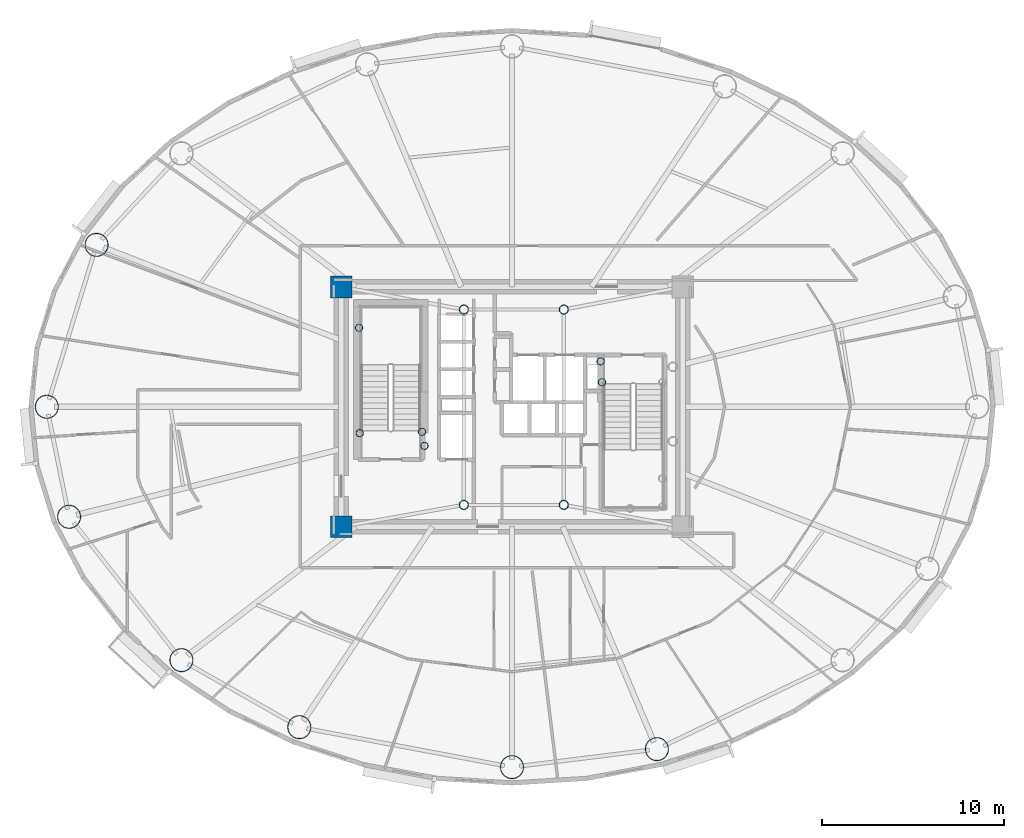
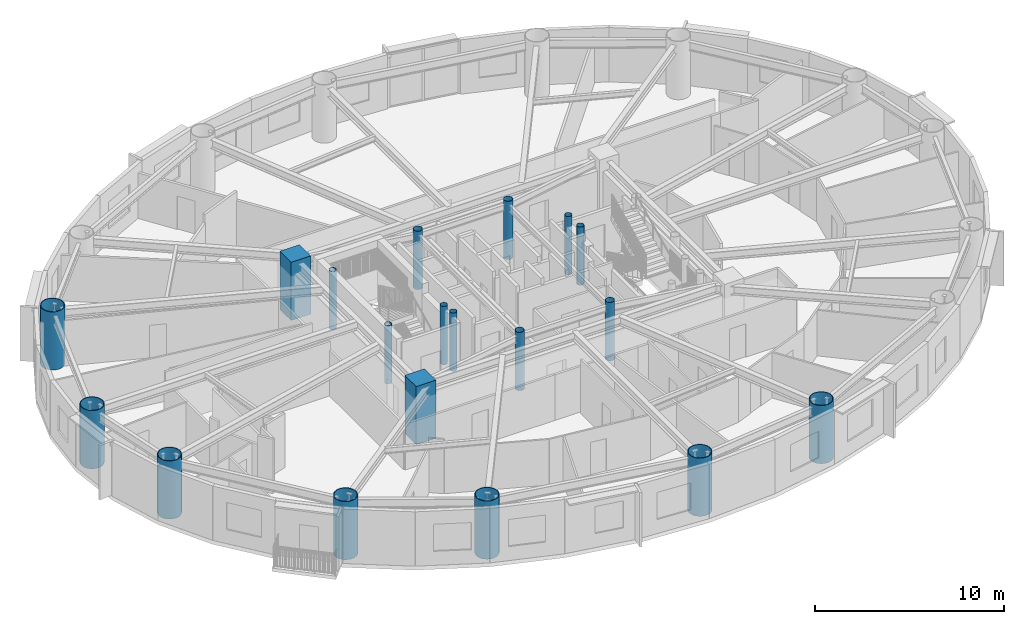
# One storey, part 1 of 18: 19 columns.
"""IFC4 building model written with IfcOpenShell, lengths in metres."""

from ifc_helpers import new_model, si_unit, direction, frame, origin, origin_2d, place, context, subcontext, project, spatial, rectangle, hollow_circle, extrude, material, material_profile, profile_set, type_object, element, save


model = new_model("IFC4")

# Units and contexts
model_context = context("Model", 3, precision=1e-05, world=origin(), true_north=direction((0.0, 1.0)))
body_context = subcontext(model_context, "Body", "Model", "MODEL_VIEW")
ifc_project = project(units=[si_unit("LENGTHUNIT", "METRE"), si_unit("AREAUNIT", "SQUARE_METRE"), si_unit("VOLUMEUNIT", "CUBIC_METRE"), si_unit("PLANEANGLEUNIT", "RADIAN"), si_unit("MASSUNIT", "GRAM", prefix="KILO")], contexts=[model_context])

# Site, building, storey
site_placement = place(None, origin())
site = spatial("IfcSite", under=ifc_project, at=site_placement, CompositionType="ELEMENT")
building_placement = place(site_placement, origin())
building = spatial("IfcBuilding", under=site, at=building_placement, Name="Linh Dai School and Residence Tower", CompositionType="ELEMENT")
storey_placement = place(building_placement, frame((0.0, 0.0, 167.39990234375)))
storey = spatial("IfcBuildingStorey", under=building, at=storey_placement, Name="L40", CompositionType="ELEMENT", Elevation=167.39990234375)

# Columns
ifc_material_1 = material(Name="Concrete B60 (C50/60)", Category="concrete")
ifc_material_profile_1 = material_profile(ifc_material_1, rectangle(XDim=1.199951171875, YDim=1.199951171875, at=origin_2d()), Name="RC 1200x1200")
ifc_profile_set_1 = profile_set([ifc_material_profile_1], Name="Concrete B60 (C50/60)")
column_type_1 = type_object("IfcColumnType", Name="COL-CC2", PredefinedType="COLUMN", material=ifc_profile_set_1)
for number, where, z_axis, x_axis, name in (
    (1, (26.60009765625, 20.39990234375, 0.0), (0.0, 0.0, 1.0), (1.0, 0.0, 0.0), "L40 Core Corner Pier CC1"),
    (2, (26.60009765625, 33.60009765625, 0.0), (0.0, 0.0, 1.0), (1.0, 0.0, 0.0), "L40 Core Corner Pier CC4"),
):
    element("IfcColumn", number, at=place(storey_placement, frame(where, z_axis=z_axis, x_axis=x_axis)), inside=storey, type_object=column_type_1, Name=name, PredefinedType="COLUMN", context=body_context, shape_type="SweptSolid", body=[
        extrude(rectangle(XDim=1.199951171875, YDim=1.199951171875, at=origin_2d()), origin(), (0.0, 0.0, 1.0), 3.75),
    ])
ifc_material_2 = material(Name="Structural Steel S355JR", Category="steel")
ifc_material_profile_2 = material_profile(ifc_material_2, hollow_circle(Radius=0.203125, WallThickness=0.01611328125, at=origin_2d()), Name="CHS 406.4x16")
ifc_profile_set_2 = profile_set([ifc_material_profile_2], Name="Structural Steel S355JR")
column_type_2 = type_object("IfcColumnType", Name="COL-EC", PredefinedType="COLUMN", material=ifc_profile_set_2)
for number, where, z_axis, x_axis, name in (
    (3, (27.580078125, 31.35009765625, 0.0), (0.0, 0.0, 1.0), (1.0, 0.0, 0.0), "L40 Stair Shaft Landing Support Pier ST1NW"),
    (4, (31.050048828125, 25.6201171875, 0.0), (0.0, 0.0, 1.0), (1.0, 0.0, 0.0), "L40 Stair Shaft Landing Support Pier ST1SE"),
    (5, (31.179931640625, 24.85009765625, 0.0), (0.0, 0.0, 1.0), (1.0, 0.0, 0.0), "L40 Stair Shaft Landing Support Pier ST1SM"),
    (6, (27.6201171875, 25.550048828125, 0.0), (0.0, 0.0, 1.0), (1.0, 0.0, 0.0), "L40 Stair Shaft Landing Support Pier ST1SW"),
    (7, (40.949951171875, 28.35009765625, 0.0), (0.0, 0.0, 1.0), (1.0, 0.0, 0.0), "L40 Stair Shaft Landing Support Pier ST2N1"),
    (8, (40.8798828125, 29.5, 0.0), (0.0, 0.0, 1.0), (1.0, 0.0, 0.0), "L40 Stair Shaft Landing Support Pier ST2N3"),
):
    element("IfcColumn", number, at=place(storey_placement, frame(where, z_axis=z_axis, x_axis=x_axis)), inside=storey, type_object=column_type_2, Name=name, PredefinedType="COLUMN", context=body_context, shape_type="SweptSolid", body=[
        extrude(hollow_circle(Radius=0.203125, WallThickness=0.01611328125, at=origin_2d()), origin(), (0.0, 0.0, 1.0), 3.75),
    ])
ifc_material_profile_3 = material_profile(ifc_material_2, hollow_circle(Radius=0.64990234375, WallThickness=0.0400390625, at=origin_2d()), Name="CHS 1300x40")
ifc_profile_set_3 = profile_set([ifc_material_profile_3], Name="Structural Steel S355JR")
column_type_3 = type_object("IfcColumnType", Name="COL-MC4", PredefinedType="COLUMN", material=ifc_profile_set_3)
for number, where, z_axis, x_axis, name in (
    (9, (13.137451171875, 35.9111328125, 0.0), (0.0, 0.0, 1.0), (1.0, 0.0, 0.0), "L40 Perimeter CFT Mega-Column MC08"),
    (10, (10.39990234375, 27.0, 0.0), (0.0, 0.0, 1.0), (1.0, 0.0, 0.0), "L40 Perimeter CFT Mega-Column MC09"),
    (11, (11.62548828125, 20.946533203125, 0.0), (0.0, 0.0, 1.0), (1.0, 0.0, 0.0), "L40 Perimeter CFT Mega-Column MC10"),
    (12, (17.8076171875, 13.058349609375, 0.0), (0.0, 0.0, 1.0), (1.0, 0.0, 0.0), "L40 Perimeter CFT Mega-Column MC11"),
    (13, (24.29443359375, 9.369140625, 0.0), (0.0, 0.0, 1.0), (1.0, 0.0, 0.0), "L40 Perimeter CFT Mega-Column MC12"),
    (14, (36.0, 7.169921875, 0.0), (0.0, 0.0, 1.0), (1.0, 0.0, 0.0), "L40 Perimeter CFT Mega-Column MC13"),
    (15, (43.973388671875, 8.15869140625, 0.0), (0.0, 0.0, 1.0), (1.0, 0.0, 0.0), "L40 Perimeter CFT Mega-Column MC14"),
):
    element("IfcColumn", number, at=place(storey_placement, frame(where, z_axis=z_axis, x_axis=x_axis)), inside=storey, type_object=column_type_3, Name=name, PredefinedType="COLUMN", context=body_context, shape_type="SweptSolid", body=[
        extrude(hollow_circle(Radius=0.64990234375, WallThickness=0.0400390625, at=origin_2d()), origin(), (0.0, 0.0, 1.0), 3.75),
    ])
ifc_material_profile_4 = material_profile(ifc_material_2, hollow_circle(Radius=0.25390625, WallThickness=0.02001953125, at=origin_2d()), Name="CHS 508x20")
ifc_profile_set_4 = profile_set([ifc_material_profile_4], Name="Structural Steel S355JR")
column_type_4 = type_object("IfcColumnType", Name="COL-MCP", PredefinedType="COLUMN", material=ifc_profile_set_4)
for number, where, z_axis, x_axis, name in (
    (16, (33.35009765625, 21.60009765625, 0.0), (0.0, 0.0, 1.0), (1.0, 0.0, 0.0), "L40 Core Mast Support Pier MCP1"),
    (17, (38.85009765625, 21.60009765625, 0.0), (0.0, 0.0, 1.0), (1.0, 0.0, 0.0), "L40 Core Mast Support Pier MCP2"),
    (18, (38.85009765625, 32.35009765625, 0.0), (0.0, 0.0, 1.0), (1.0, 0.0, 0.0), "L40 Core Mast Support Pier MCP3"),
    (19, (33.35009765625, 32.35009765625, 0.0), (0.0, 0.0, 1.0), (1.0, 0.0, 0.0), "L40 Core Mast Support Pier MCP4"),
):
    element("IfcColumn", number, at=place(storey_placement, frame(where, z_axis=z_axis, x_axis=x_axis)), inside=storey, type_object=column_type_4, Name=name, PredefinedType="COLUMN", context=body_context, shape_type="SweptSolid", body=[
        extrude(hollow_circle(Radius=0.25390625, WallThickness=0.02001953125, at=origin_2d()), origin(), (0.0, 0.0, 1.0), 3.75),
    ])

save(model, "model.ifc")
